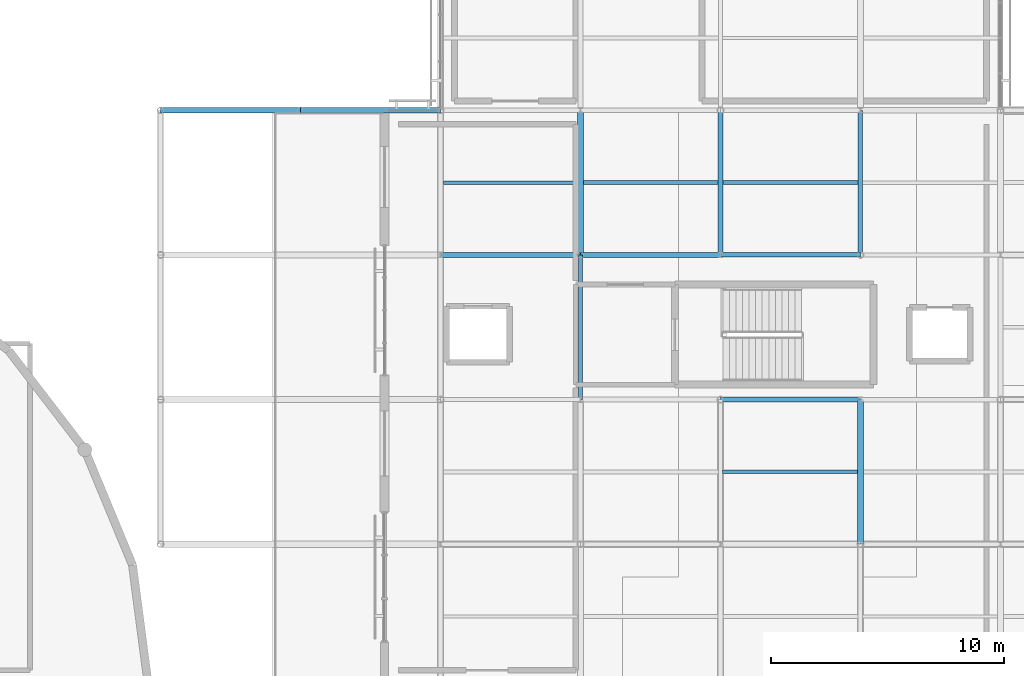
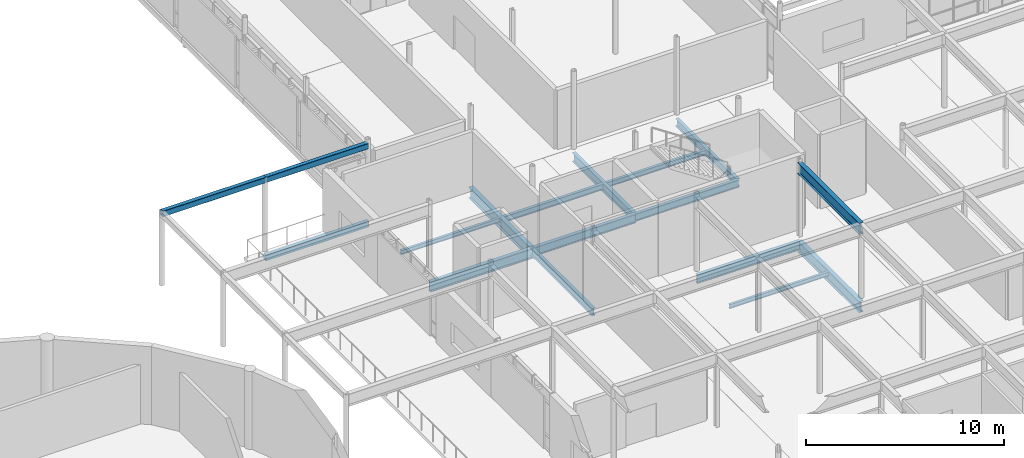
# One storey, part 28 of 48: 17 beams.
"""IFC4 building model written with IfcOpenShell, lengths in metres."""

from ifc_helpers import new_model, si_unit, direction, frame, origin, origin_2d, place, context, subcontext, project, spatial, hollow_rectangle, i_section, extrude, material, material_profile, profile_set, type_object, element, save


model = new_model("IFC4")

# Units and contexts
model_context = context("Model", 3, precision=1e-05, world=origin(), true_north=direction((0.0, 1.0)))
body_context = subcontext(model_context, "Body", "Model", "MODEL_VIEW")
ifc_project = project(units=[si_unit("LENGTHUNIT", "METRE"), si_unit("AREAUNIT", "SQUARE_METRE"), si_unit("VOLUMEUNIT", "CUBIC_METRE"), si_unit("PLANEANGLEUNIT", "RADIAN"), si_unit("MASSUNIT", "GRAM", prefix="KILO")], contexts=[model_context])

# Site, building, storey
site_placement = place(None, origin())
site = spatial("IfcSite", under=ifc_project, at=site_placement, CompositionType="ELEMENT")
building_placement = place(site_placement, origin())
building = spatial("IfcBuilding", under=site, at=building_placement, Name="Mirzam Square Science Centre", CompositionType="ELEMENT")
storey_placement = place(building_placement, frame((0.0, 0.0, 20.39990234375)))
storey = spatial("IfcBuildingStorey", under=building, at=storey_placement, Name="L04", CompositionType="ELEMENT", Elevation=20.39990234375)

# Beams
ifc_material = material(Name="Steel S355", Category="steel")
ifc_material_profile_1 = material_profile(ifc_material, i_section(OverallWidth=0.19140625, OverallDepth=0.4599609375, WebThickness=0.010009765625, FlangeThickness=0.01611328125, FilletRadius=0.01025390625, at=origin_2d()), Name="457x191x82UB")
ifc_profile_set_1 = profile_set([ifc_material_profile_1], Name="Steel S355")
beam_type_1 = type_object("IfcBeamType", Name="BM-UB457", PredefinedType="BEAM", material=ifc_profile_set_1)
beam_1_placement = place(storey_placement, frame((126.0, 80.60009765625, -0.47998046875), z_axis=(1.0, 0.0, 0.0), x_axis=(0.0, 1.0, 0.0)))
element("IfcBeam", 1, at=beam_1_placement, inside=storey, type_object=beam_type_1, Name="L04 girder X22-14", PredefinedType="BEAM", context=body_context, shape_type="SweptSolid", body=[
    extrude(i_section(OverallWidth=0.19140625, OverallDepth=0.4599609375, WebThickness=0.010009765625, FlangeThickness=0.01611328125, FilletRadius=0.01025390625, at=origin_2d()), origin(), (0.0, 0.0, 1.0), 6.0),
])
beam_2_placement = place(storey_placement, frame((120.0, 74.39990234375, -0.47998046875), z_axis=(0.0, 1.0, 0.0), x_axis=(-1.0, 0.0, 0.0)))
element("IfcBeam", 2, at=beam_2_placement, inside=storey, type_object=beam_type_1, Name="L04 girder Y21-13", PredefinedType="BEAM", context=body_context, shape_type="SweptSolid", body=[
    extrude(i_section(OverallWidth=0.19140625, OverallDepth=0.4599609375, WebThickness=0.010009765625, FlangeThickness=0.01611328125, FilletRadius=0.01025390625, at=origin_2d()), origin(), (0.0, 0.0, 1.0), 6.2001953125),
])
beam_3_placement = place(storey_placement, frame((132.0, 80.60009765625, -0.47998046875), z_axis=(0.0, 1.0, 0.0), x_axis=(-1.0, 0.0, 0.0)))
element("IfcBeam", 3, at=beam_3_placement, inside=storey, type_object=beam_type_1, Name="L04 girder Y23-14", PredefinedType="BEAM", context=body_context, shape_type="SweptSolid", body=[
    extrude(i_section(OverallWidth=0.19140625, OverallDepth=0.4599609375, WebThickness=0.010009765625, FlangeThickness=0.01611328125, FilletRadius=0.01025390625, at=origin_2d()), origin(), (0.0, 0.0, 1.0), 6.199951171875),
])
ifc_material_profile_2 = material_profile(ifc_material, i_section(OverallWidth=0.2099609375, OverallDepth=0.53662109375, WebThickness=0.0107421875, FlangeThickness=0.017333984375, FilletRadius=0.0126953125, at=origin_2d()), Name="533x210x101UB")
ifc_profile_set_2 = profile_set([ifc_material_profile_2], Name="Steel S355")
beam_type_2 = type_object("IfcBeamType", Name="BM-UB533", PredefinedType="BEAM", material=ifc_profile_set_2)
for number, where, z_axis, x_axis, name in (
    (4, (126.0, 74.39990234375, -0.518310546875), (1.0, 0.0, 0.0), (0.0, 1.0, 0.0), "L04 girder X22-13"),
    (5, (120.0, 80.60009765625, -0.518310546875), (1.0, 0.0, 0.0), (0.0, 1.0, 0.0), "L04 girder X21-14"),
):
    element("IfcBeam", number, at=place(storey_placement, frame(where, z_axis=z_axis, x_axis=x_axis)), inside=storey, type_object=beam_type_2, Name=name, PredefinedType="BEAM", context=body_context, shape_type="SweptSolid", body=[
        extrude(i_section(OverallWidth=0.2099609375, OverallDepth=0.53662109375, WebThickness=0.0107421875, FlangeThickness=0.017333984375, FilletRadius=0.0126953125, at=origin_2d()), origin(), (0.0, 0.0, 1.0), 6.0),
    ])
beam_4_placement = place(storey_placement, frame((126.0, 80.60009765625, -0.518310546875), z_axis=(0.0, 1.0, 0.0), x_axis=(-1.0, 0.0, 0.0)))
element("IfcBeam", 6, at=beam_4_placement, inside=storey, type_object=beam_type_2, Name="L04 girder Y22-14", PredefinedType="BEAM", context=body_context, shape_type="SweptSolid", body=[
    extrude(i_section(OverallWidth=0.2099609375, OverallDepth=0.53662109375, WebThickness=0.0107421875, FlangeThickness=0.017333984375, FilletRadius=0.0126953125, at=origin_2d()), origin(), (0.0, 0.0, 1.0), 6.199951171875),
])
ifc_material_profile_3 = material_profile(ifc_material, i_section(OverallWidth=0.22900390625, OverallDepth=0.6123046875, WebThickness=0.011962890625, FlangeThickness=0.01953125, FilletRadius=0.0126953125, at=origin_2d()), Name="610x229x125UB")
ifc_profile_set_3 = profile_set([ifc_material_profile_3], Name="Steel S355")
beam_type_3 = type_object("IfcBeamType", Name="BM-UB610", PredefinedType="BEAM", material=ifc_profile_set_3)
beam_5_placement = place(storey_placement, frame((114.0, 80.60009765625, -0.555908203125), z_axis=(1.0, 0.0, 0.0), x_axis=(0.0, 1.0, 0.0)))
element("IfcBeam", 7, at=beam_5_placement, inside=storey, type_object=beam_type_3, Name="L04 girder X20-14", PredefinedType="BEAM", context=body_context, shape_type="SweptSolid", body=[
    extrude(i_section(OverallWidth=0.22900390625, OverallDepth=0.6123046875, WebThickness=0.011962890625, FlangeThickness=0.01953125, FilletRadius=0.0126953125, at=origin_2d()), origin(), (0.0, 0.0, 1.0), 6.0),
])
ifc_material_profile_4 = material_profile(ifc_material, i_section(OverallWidth=0.25439453125, OverallDepth=0.6875, WebThickness=0.01318359375, FlangeThickness=0.02099609375, FilletRadius=0.01513671875, at=origin_2d()), Name="686x254x152UB")
ifc_profile_set_4 = profile_set([ifc_material_profile_4], Name="Steel S355")
beam_type_4 = type_object("IfcBeamType", Name="BM-UB686", PredefinedType="BEAM", material=ifc_profile_set_4)
for number, where, z_axis, x_axis, name in (
    (8, (120.0, 80.60009765625, -0.59375), (0.0, 1.0, 0.0), (-1.0, 0.0, 0.0), "L04 girder Y21-14"),
    (9, (132.0, 68.199951171875, -0.59375), (0.0, 1.0, 0.0), (-1.0, 0.0, 0.0), "L04 girder Y23-12"),
    (10, (132.0, 68.199951171875, 4.226318359375), (0.0, 1.0, 0.0), (-1.0, 0.0, 0.0), "Parasol roof girder X23 Y12-13"),
):
    element("IfcBeam", number, at=place(storey_placement, frame(where, z_axis=z_axis, x_axis=x_axis)), inside=storey, type_object=beam_type_4, Name=name, PredefinedType="BEAM", context=body_context, shape_type="SweptSolid", body=[
        extrude(i_section(OverallWidth=0.25439453125, OverallDepth=0.6875, WebThickness=0.01318359375, FlangeThickness=0.02099609375, FilletRadius=0.01513671875, at=origin_2d()), origin(), (0.0, 0.0, 1.0), 6.199951171875),
    ])
ifc_material_profile_5 = material_profile(ifc_material, i_section(OverallWidth=0.146484375, OverallDepth=0.256103515625, WebThickness=0.00634765625, FlangeThickness=0.010986328125, FilletRadius=0.007568359375, at=origin_2d()), Name="254x146x37UB")
ifc_profile_set_5 = profile_set([ifc_material_profile_5], Name="Steel S355")
beam_type_5 = type_object("IfcBeamType", Name="JS-UB254", PredefinedType="JOIST", material=ifc_profile_set_5)
beam_6_placement = place(storey_placement, frame((114.125, 83.699951171875, -0.3779296875), z_axis=(1.0, 0.0, 0.0), x_axis=(0.0, 1.0, 0.0)))
element("IfcBeam", 11, at=beam_6_placement, inside=storey, type_object=beam_type_5, Name="L04 composite joist 20-14", PredefinedType="JOIST", context=body_context, shape_type="SweptSolid", body=[
    extrude(i_section(OverallWidth=0.146484375, OverallDepth=0.256103515625, WebThickness=0.00634765625, FlangeThickness=0.010986328125, FilletRadius=0.007568359375, at=origin_2d()), origin(), (0.0, 0.0, 1.0), 5.747802734375),
])
beam_7_placement = place(storey_placement, frame((126.095703125, 71.300048828125, -0.3779296875), z_axis=(1.0, 0.0, 0.0), x_axis=(0.0, 1.0, 0.0)))
element("IfcBeam", 12, at=beam_7_placement, inside=storey, type_object=beam_type_5, Name="L04 composite joist 22-12", PredefinedType="JOIST", context=body_context, shape_type="SweptSolid", body=[
    extrude(i_section(OverallWidth=0.146484375, OverallDepth=0.256103515625, WebThickness=0.00634765625, FlangeThickness=0.010986328125, FilletRadius=0.007568359375, at=origin_2d()), origin(), (0.0, 0.0, 1.0), 5.777099609375),
])
ifc_material_profile_6 = material_profile(ifc_material, i_section(OverallWidth=0.165771484375, OverallDepth=0.306640625, WebThickness=0.006591796875, FlangeThickness=0.01171875, FilletRadius=0.0087890625, at=origin_2d()), Name="305x165x46UB")
ifc_profile_set_6 = profile_set([ifc_material_profile_6], Name="Steel S355")
beam_type_6 = type_object("IfcBeamType", Name="JS-UB305", PredefinedType="JOIST", material=ifc_profile_set_6)
beam_8_placement = place(storey_placement, frame((126.10498046875, 83.699951171875, -0.4033203125), z_axis=(1.0, 0.0, 0.0), x_axis=(0.0, 1.0, 0.0)))
element("IfcBeam", 13, at=beam_8_placement, inside=storey, type_object=beam_type_6, Name="L04 composite joist 22-14", PredefinedType="JOIST", context=body_context, shape_type="SweptSolid", body=[
    extrude(i_section(OverallWidth=0.165771484375, OverallDepth=0.306640625, WebThickness=0.006591796875, FlangeThickness=0.01171875, FilletRadius=0.0087890625, at=origin_2d()), origin(), (0.0, 0.0, 1.0), 5.79931640625),
])
ifc_material_profile_7 = material_profile(ifc_material, i_section(OverallWidth=0.172119140625, OverallDepth=0.35791015625, WebThickness=0.008056640625, FlangeThickness=0.012939453125, FilletRadius=0.01025390625, at=origin_2d()), Name="356x171x57UB")
ifc_profile_set_7 = profile_set([ifc_material_profile_7], Name="Steel S355")
beam_type_7 = type_object("IfcBeamType", Name="JS-UB356", PredefinedType="JOIST", material=ifc_profile_set_7)
beam_9_placement = place(storey_placement, frame((120.127197265625, 83.699951171875, -0.428955078125), z_axis=(1.0, 0.0, 0.0), x_axis=(0.0, 1.0, 0.0)))
element("IfcBeam", 14, at=beam_9_placement, inside=storey, type_object=beam_type_7, Name="L04 composite joist 21-14", PredefinedType="JOIST", context=body_context, shape_type="SweptSolid", body=[
    extrude(i_section(OverallWidth=0.172119140625, OverallDepth=0.35791015625, WebThickness=0.008056640625, FlangeThickness=0.012939453125, FilletRadius=0.01025390625, at=origin_2d()), origin(), (0.0, 0.0, 1.0), 5.767822265625),
])
ifc_material_profile_8 = material_profile(ifc_material, hollow_rectangle(XDim=0.25, YDim=0.35009765625, WallThickness=0.012451171875, InnerFilletRadius=0.012451171875, OuterFilletRadius=0.02490234375, at=origin_2d()), Name="350x250x12.5RHS")
ifc_profile_set_8 = profile_set([ifc_material_profile_8], Name="Steel S355")
beam_type_8 = type_object("IfcBeamType", Name="SP-RHS350", PredefinedType="SPANDREL", material=ifc_profile_set_8)
for number, where, z_axis, x_axis, name in (
    (15, (108.0, 86.800048828125, -0.4248046875), (1.0, 0.0, 0.0), (0.0, 1.0, 0.0), "L04 girder X19-15"),
    (16, (102.0, 86.800048828125, 4.39501953125), (1.0, 0.0, 0.0), (0.0, 1.0, 0.0), "Parasol N fascia beam 18"),
    (17, (108.0, 86.800048828125, 4.39501953125), (1.0, 0.0, 0.0), (0.0, 1.0, 0.0), "Parasol N fascia beam 19"),
):
    element("IfcBeam", number, at=place(storey_placement, frame(where, z_axis=z_axis, x_axis=x_axis)), inside=storey, type_object=beam_type_8, Name=name, PredefinedType="SPANDREL", context=body_context, shape_type="SweptSolid", body=[
        extrude(hollow_rectangle(XDim=0.25, YDim=0.35009765625, WallThickness=0.012451171875, InnerFilletRadius=0.012451171875, OuterFilletRadius=0.02490234375, at=origin_2d()), origin(), (0.0, 0.0, 1.0), 6.0),
    ])

save(model, "model.ifc")
